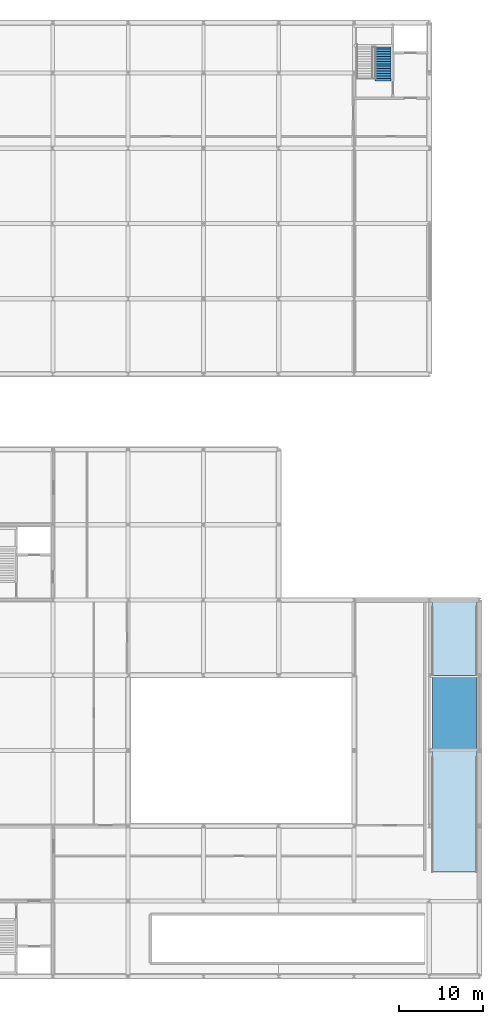
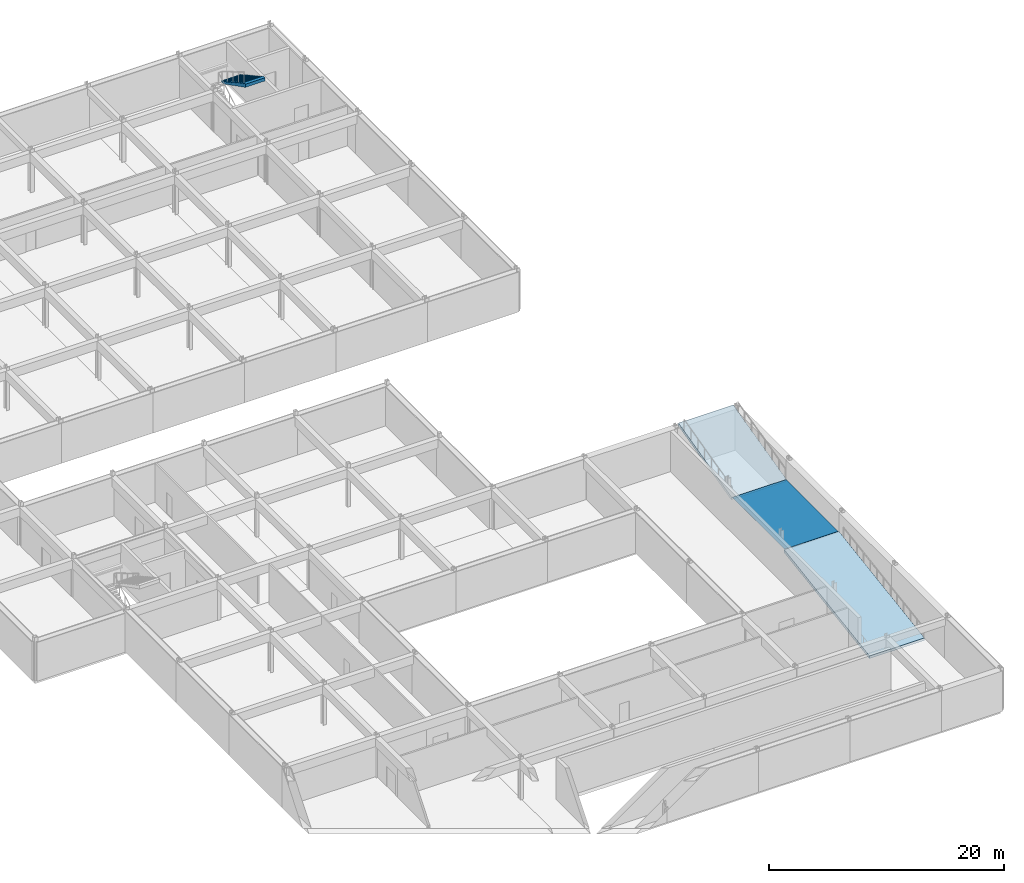
# One storey, part 28 of 35: 2 slabs, 1 ramp, 1 stair flight, 1 element without a shape of its own.
"""IFC4 building model written with IfcOpenShell, lengths in metres."""

from ifc_helpers import new_model, si_unit, direction, frame, origin, place, context, subcontext, project, spatial, polyline, outline, extrude, material, layer, layer_set, type_object, element, aggregate, save


model = new_model("IFC4")

# Units and contexts
model_context = context("Model", 3, precision=1e-05, world=origin(), true_north=direction((0.0, 1.0)))
body_context = subcontext(model_context, "Body", "Model", "MODEL_VIEW")
ifc_project = project(units=[si_unit("LENGTHUNIT", "METRE"), si_unit("AREAUNIT", "SQUARE_METRE"), si_unit("VOLUMEUNIT", "CUBIC_METRE"), si_unit("PLANEANGLEUNIT", "RADIAN"), si_unit("MASSUNIT", "GRAM", prefix="KILO")], contexts=[model_context])

# Slab
ifc_material_1 = material(Name="Concrete C40/50", Category="concrete")
ifc_layer = layer(ifc_material_1, 0.300048828125)
ifc_layer_set = layer_set([ifc_layer], Name="Vehicle Ramp Slab 300 Concrete C40/50")
slab_type = type_object("IfcSlabType", Name="Vehicle Ramp Slab 300 Concrete C40/50", PredefinedType="FLOOR", material=ifc_layer_set)
site_placement = place(None, origin())
building_placement = place(site_placement, origin())
storey_placement = place(building_placement, frame((0.0, 0.0, -4.47998046875)))
slab_1_placement = place(storey_placement, frame((167.699951171875, 12.4599609375, 0.0), z_axis=(0.0, -0.151851972376, 0.988403246901), x_axis=(0.0, 0.988403246901, 0.151851972376)))
slab_1 = element("IfcSlab", 1, at=slab_1_placement, type_object=slab_type, Name="Car park and loading vehicle ramp R1 Flight 1", PredefinedType="FLOOR", context=body_context, shape_type="SweptSolid", body=[
    extrude(outline(polyline([(0.0, 0.0), (14.75114349402103, 0.0), (14.75114349402103, 5.39990234375), (0.0, 5.39990234375), (0.0, 0.0)])), origin(), (0.0, 0.0, -1.0), 0.300048828125),
])

slab_2_placement = place(storey_placement, frame((167.699951171875, 35.9599609375, 2.239990234375), z_axis=(0.0, -0.239512422689, 0.970893299687), x_axis=(0.0, 0.970893299687, 0.239512422689)))
slab_2 = element("IfcSlab", 2, at=slab_2_placement, type_object=slab_type, Name="Car park and loading vehicle ramp R1 Flight 2", PredefinedType="FLOOR", context=body_context, shape_type="SweptSolid", body=[
    extrude(outline(polyline([(0.0, 0.0), (9.352292500034357, 0.0), (9.352292500034357, 5.399902343750001), (0.0, 5.399902343750001), (0.0, 0.0)])), origin(), (0.0, 0.0, -1.0), 0.300048828125),
])

# Site, building, storey
site = spatial("IfcSite", under=ifc_project, at=site_placement, CompositionType="ELEMENT")
building = spatial("IfcBuilding", under=site, at=building_placement, Name="Palais des Congres Ocreval", CompositionType="ELEMENT")
storey = spatial("IfcBuildingStorey", under=building, at=storey_placement, Name="B1", CompositionType="ELEMENT", Elevation=-4.47998046875)

# Stair, stair flight
stair_type = type_object("IfcStairType", Name="Wing Core Stair 1900 Concrete C40/50", PredefinedType="HALF_TURN_STAIR", material=ifc_material_1)
stair_placement = place(storey_placement, origin())
stair = element("IfcStair", 3, at=stair_placement, inside=storey, type_object=stair_type, Name="Protected Core Stair ST08 B1", PredefinedType="HALF_TURN_STAIR")
stair_flight_type = type_object("IfcStairFlightType", Name="Wing Stair Flight W1900 Concrete C40/50", PredefinedType="STRAIGHT", material=ifc_material_1)
stair_flight_placement = place(storey_placement, frame((156.47998046875, 111.1201171875, 2.239990234375), z_axis=(0.0, 0.0, 1.0), x_axis=(0.0, -1.0, 0.0)))
stair_flight = element("IfcStairFlight", 4, at=stair_flight_placement, type_object=stair_flight_type, Name="Stair ST08 B1 Flight 2", NumberOfRisers=14, NumberOfTreads=13, PredefinedType="STRAIGHT", RiserHeight=0.16, TreadLength=0.29, context=body_context, shape_type="SweptSolid", body=[
    extrude(outline(polyline([(-0.006103515625, 0.0), (-0.006103515625, 0.080078125), (0.0, 0.159912109375), (0.2900390625, 0.159912109375), (0.2900390625, 0.320068359375), (0.580078125, 0.320068359375), (0.580078125, 0.47998046875), (0.8701171875, 0.47998046875), (0.8701171875, 0.639892578125), (1.159912109375, 0.639892578125), (1.159912109375, 0.800048828125), (1.449951171875, 0.800048828125), (1.449951171875, 0.9599609375), (1.739990234375, 0.9599609375), (1.739990234375, 1.1201171875), (2.030029296875, 1.1201171875), (2.030029296875, 1.280029296875), (2.320068359375, 1.280029296875), (2.320068359375, 1.43994140625), (2.610107421875, 1.43994140625), (2.610107421875, 1.60009765625), (2.89990234375, 1.60009765625), (2.89990234375, 1.760009765625), (3.18994140625, 1.760009765625), (3.18994140625, 1.919921875), (3.47998046875, 1.919921875), (3.47998046875, 2.080078125), (3.77001953125, 2.080078125), (3.77001953125, 2.239990234375), (4.06005859375, 2.239990234375), (4.06005859375, 1.8974609375), (0.3310546875, 0.0), (-0.006103515625, 0.0)])), frame((0.0, 0.949951171875, 0.0), z_axis=(0.0, -1.0, 0.0), x_axis=(1.0, 0.0, 0.0)), (0.0, 0.0, 1.0), 1.89990234375),
])
aggregate(stair, [stair_flight])

# Ramp
ifc_material_2 = material(Name="Waterproof traffic deck coating")
ramp_type = type_object("IfcRampType", Name="Primary Vehicle Concrete Ramp 5400 Concrete C40/50", PredefinedType="STRAIGHT_RUN_RAMP", material=ifc_material_1)
ramp_placement = place(storey_placement, frame((0.0, 0.0, 2.239990234375)))
ramp = element("IfcRamp", 5, at=ramp_placement, inside=storey, type_object=ramp_type, material=ifc_material_2, Name="Car park and loading vehicle ramp R1", PredefinedType="STRAIGHT_RUN_RAMP", context=body_context, shape_type="SweptSolid", body=[
    extrude(outline(polyline([(162.35009765625, 27.050048828125), (167.64990234375, 27.050048828125), (167.64990234375, 35.949951171875), (162.35009765625, 35.949951171875), (162.35009765625, 27.050048828125)])), origin(), (0.0, 0.0, 1.0), 0.008056640625),
])

aggregate(ramp, [slab_1, slab_2])

save(model, "model.ifc")
